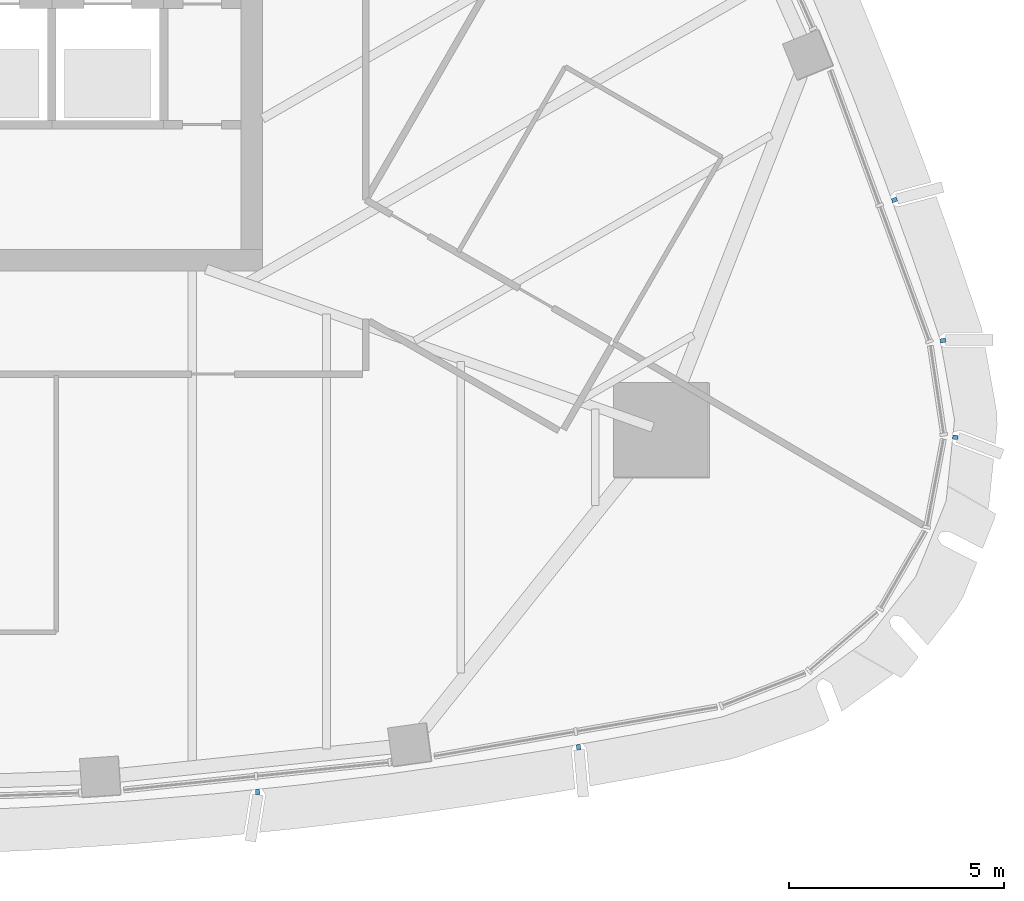
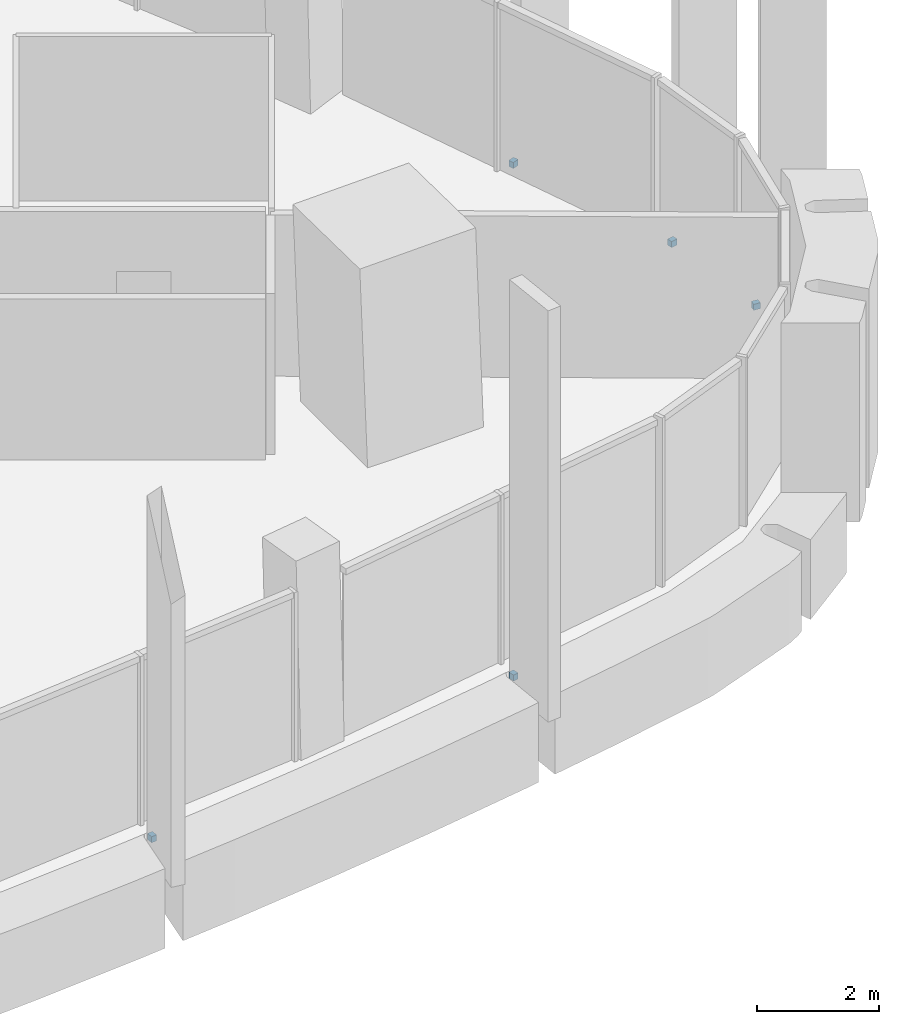
# One storey, part 13 of 16: 5 discrete accessories.
"""IFC4 building model written with IfcOpenShell, lengths in metres."""

import ifcopenshell
import ifcopenshell.guid

model = None  # the IFC model being written
_history = None  # IfcOwnerHistory: only IFC2X3 demands one
_inside = {}  # id of a spatial element -> (the spatial element, [elements in it])
_under = {}  # id of a project, library or spatial element -> (it, [spatial elements below it])
_declared = {}  # id of a project -> (the project, [libraries it declares])
_typed = {}  # id of a type object -> (the type object, [elements of that type])
_made_of = {}  # id of a material, layer set ... -> (it, [elements and type objects made of it])


def new_model(schema):
    """Start an empty IFC model of exactly this schema.

    Asked for "IFC4X3", IfcOpenShell would pick the latest addendum, in which some entities
    have other attributes; the version numbers below select the first issue.
    IFC2X3 requires an IfcOwnerHistory on every rooted entity: one is made here for all.
    """
    global model, _history
    if schema == "IFC4X3":
        model = ifcopenshell.file(schema_version=(4, 3, 0, 0))
    else:
        model = ifcopenshell.file(schema=schema)
    _inside.clear()
    _under.clear()
    _declared.clear()
    _typed.clear()
    _made_of.clear()
    _history = None
    if model.schema == "IFC2X3":
        org = make("IfcOrganization", Name="unknown")
        user = make(
            "IfcPersonAndOrganization",
            ThePerson=make("IfcPerson", FamilyName="unknown"),
            TheOrganization=org,
        )
        app = make(
            "IfcApplication",
            ApplicationDeveloper=org,
            Version="unknown",
            ApplicationFullName="unknown",
            ApplicationIdentifier="unknown",
        )
        _history = make(
            "IfcOwnerHistory",
            OwningUser=user,
            OwningApplication=app,
            ChangeAction="ADDED",
            CreationDate=0,
        )
    return model


def make(cls, **values):
    """One entity of the class cls with the attributes given. An attribute that is None is left unset."""
    return model.create_entity(
        cls, **{name: value for name, value in values.items() if value is not None}
    )


def rooted(cls, **values):
    """An entity with a GlobalId (a new one), such as an element, a storey or a relation."""
    return make(cls, GlobalId=ifcopenshell.guid.new(), OwnerHistory=_history, **values)


def si_unit(unit_type, name, prefix=None):
    """IfcSIUnit, for example si_unit("LENGTHUNIT", "METRE", prefix="MILLI")."""
    return make("IfcSIUnit", UnitType=unit_type, Prefix=prefix, Name=name)


def assignment(units):
    """IfcUnitAssignment: the units of a project."""
    return None if units is None else make("IfcUnitAssignment", Units=units)


def point(xyz):
    """IfcCartesianPoint."""
    return None if xyz is None else make("IfcCartesianPoint", Coordinates=xyz)


def direction(xyz):
    """IfcDirection."""
    return None if xyz is None else make("IfcDirection", DirectionRatios=xyz)


def frame(location, z_axis=None, x_axis=None):
    """IfcAxis2Placement3D, a coordinate frame: its origin and axes. An axis left out is left unset."""
    return make(
        "IfcAxis2Placement3D",
        Location=point(location),
        Axis=direction(z_axis),
        RefDirection=direction(x_axis),
    )


def frame_2d(location, x_axis=None):
    """IfcAxis2Placement2D, a coordinate frame in the plane: its origin and x axis."""
    return make(
        "IfcAxis2Placement2D", Location=point(location), RefDirection=direction(x_axis)
    )


def origin():
    """The frame at (0, 0, 0) with its axes left unset."""
    return frame((0.0, 0.0, 0.0))


def origin_2d():
    """The frame at (0, 0) in the plane with its x axis left unset."""
    return frame_2d((0.0, 0.0))


def place(relative_to, where):
    """IfcLocalPlacement: puts the frame where relative to a parent placement (None: the world)."""
    return make(
        "IfcLocalPlacement", PlacementRelTo=relative_to, RelativePlacement=where
    )


def context(
    kind, dimensions, precision=None, world=None, true_north=None, identifier=None
):
    """IfcGeometricRepresentationContext, for example the 3D "Model" context."""
    return make(
        "IfcGeometricRepresentationContext",
        ContextIdentifier=identifier,
        ContextType=kind,
        CoordinateSpaceDimension=dimensions,
        Precision=precision,
        WorldCoordinateSystem=world,
        TrueNorth=true_north,
    )


def subcontext(parent, identifier, kind, view, scale=None):
    """IfcGeometricRepresentationSubContext, for example "Body" below "Model"."""
    return make(
        "IfcGeometricRepresentationSubContext",
        ContextIdentifier=identifier,
        ContextType=kind,
        ParentContext=parent,
        TargetScale=scale,
        TargetView=view,
    )


def project(units=None, contexts=None):
    """IfcProject with its units and contexts."""
    return rooted(
        "IfcProject",
        Name="project",
        RepresentationContexts=contexts,
        UnitsInContext=assignment(units),
    )


def spatial(cls, under=None, at=None, **own):
    """A site, building, storey or space (cls), placed at a placement, below another one or the project."""
    s = rooted(cls, ObjectPlacement=at, **own)
    if under is not None:
        _under.setdefault(under.id(), (under, []))[1].append(s)
    return s


def profile(cls, at=None, kind="AREA", **sizes):
    """A parametric profile (cls). Its sizes go by their IFC names, for example OverallWidth=200.0."""
    return make(cls, ProfileType=kind, Position=at, **sizes)


def rectangle(**sizes):
    """IfcRectangleProfileDef."""
    return profile("IfcRectangleProfileDef", **sizes)


def extrude(swept, where, along, depth):
    """IfcExtrudedAreaSolid: the profile swept, set in the frame where, extruded along a direction by depth."""
    return make(
        "IfcExtrudedAreaSolid",
        SweptArea=swept,
        Position=where,
        ExtrudedDirection=direction(along),
        Depth=depth,
    )


def shape(context_of_items, identifier, shape_type, items):
    """IfcShapeRepresentation: the items that make up one representation, for example the "Body"."""
    return make(
        "IfcShapeRepresentation",
        ContextOfItems=context_of_items,
        RepresentationIdentifier=identifier,
        RepresentationType=shape_type,
        Items=items,
    )


def material(Name=None, Category=None):
    """IfcMaterial."""
    return make("IfcMaterial", Name=Name, Category=Category)


def made_of(thing, what):
    """Note that an element or type object is made of a material, layer set ...; save() writes the relation."""
    if what is not None:
        _made_of.setdefault(what.id(), (what, []))[1].append(thing)
    return thing


def type_object(cls, material=None, **own):
    """A type object (cls), such as IfcWallType, which elements share."""
    return made_of(rooted(cls, **own), material)


def element(
    cls,
    number,
    at=None,
    inside=None,
    cuts=None,
    type_object=None,
    material=None,
    context=None,
    identifier="Body",
    shape_type=None,
    held_by="IfcProductDefinitionShape",
    body=None,
    shapes=None,
    **own,
):
    """One element of the class cls, such as IfcWall. Its Tag is "e" and its number.

    at: its placement. inside: the storey or other place that contains it. cuts: it is an
    opening in that element (IfcRelVoidsElement). A single representation is given by context,
    identifier, shape_type and body (its items); several are given by shapes. held_by: the class
    of the entity that holds the representations. save() writes the other relations.
    """
    e = rooted(cls, Tag="e%d" % number, ObjectPlacement=at, **own)
    if body is not None:
        shapes = [shape(context, identifier, shape_type, body)]
    if shapes is not None:
        e.Representation = make(held_by, Representations=shapes)
    if inside is not None:
        _inside.setdefault(inside.id(), (inside, []))[1].append(e)
    if cuts is not None:
        rooted(
            "IfcRelVoidsElement", RelatingBuildingElement=cuts, RelatedOpeningElement=e
        )
    if type_object is not None:
        _typed.setdefault(type_object.id(), (type_object, []))[1].append(e)
    return made_of(e, material)


def aggregate(whole, parts):
    """IfcRelAggregates: a whole, such as a stair, and the parts it consists of."""
    return rooted("IfcRelAggregates", RelatingObject=whole, RelatedObjects=parts)


def save(model, path):
    """Write the relations noted so far, then the file.

    IfcRelAggregates (storeys below a building ...), IfcRelContainedInSpatialStructure (elements
    in a storey), IfcRelDefinesByType, IfcRelAssociatesMaterial and IfcRelDeclares: one each for
    every whole, place, type object, material and project.
    """
    for whole, parts in _under.values():
        aggregate(whole, parts)
    for where, things in _inside.values():
        rooted(
            "IfcRelContainedInSpatialStructure",
            RelatedElements=things,
            RelatingStructure=where,
        )
    for kind, things in _typed.values():
        rooted("IfcRelDefinesByType", RelatedObjects=things, RelatingType=kind)
    for what, things in _made_of.values():
        rooted("IfcRelAssociatesMaterial", RelatedObjects=things, RelatingMaterial=what)
    for by, libraries in _declared.values():
        rooted("IfcRelDeclares", RelatingContext=by, RelatedDefinitions=libraries)
    model.write(path)


model = new_model("IFC4")

# Units and contexts
model_context = context("Model", 3, precision=1e-05, world=origin(), true_north=direction((0.0, 1.0)))
body_context = subcontext(model_context, "Body", "Model", "MODEL_VIEW")
ifc_project = project(units=[si_unit("LENGTHUNIT", "METRE"), si_unit("AREAUNIT", "SQUARE_METRE"), si_unit("VOLUMEUNIT", "CUBIC_METRE"), si_unit("PLANEANGLEUNIT", "RADIAN"), si_unit("MASSUNIT", "GRAM", prefix="KILO")], contexts=[model_context])

# Site, building, storey
site_placement = place(None, origin())
site = spatial("IfcSite", under=ifc_project, at=site_placement, CompositionType="ELEMENT")
building_placement = place(site_placement, origin())
building = spatial("IfcBuilding", under=site, at=building_placement, Name="Sierra Prisma Convention Tower", CompositionType="ELEMENT")
storey_placement = place(building_placement, frame((0.0, 0.0, 303.0)))
storey = spatial("IfcBuildingStorey", under=building, at=storey_placement, Name="L69", CompositionType="ELEMENT", Elevation=303.0)

# Discrete accessories
ifc_material = material(Name="Stainless steel 316", Category="steel")
discrete_accessory_type = type_object("IfcDiscreteAccessoryType", Name="Fin bracket", PredefinedType="BRACKET", material=ifc_material)
for number, where, z_axis, x_axis, name in (
    (1, (10.88525390625, -20.113037109375, -0.135009765625), (0.0, 0.0, 1.0), (0.103246271836, -0.994655823565, 0.0), "Fin bracket L69.14 base"),
    (2, (18.344482421875, -19.0712890625, -0.135009765625), (0.0, 0.0, 1.0), (0.177704010422, -0.984083982534, 0.0), "Fin bracket L69.17 base"),
    (3, (27.10302734375, -11.868408203125, -0.135009765625), (0.0, 0.0, 1.0), (0.994655823565, -0.103246271836, 0.0), "Fin bracket L69.22 base"),
    (4, (26.816162109375, -9.619873046875, -0.135009765625), (0.0, 0.0, 1.0), (0.984432377569, 0.175763744824, 0.0), "Fin bracket L69.23 base"),
    (5, (25.6884765625, -6.351318359375, -0.135009765625), (0.0, 0.0, 1.0), (0.941093733543, 0.338145803887, 0.0), "Fin bracket L69.24 base"),
):
    element("IfcDiscreteAccessory", number, at=place(storey_placement, frame(where, z_axis=z_axis, x_axis=x_axis)), inside=storey, type_object=discrete_accessory_type, Name=name, PredefinedType="BRACKET", context=body_context, shape_type="SweptSolid", body=[
        extrude(rectangle(XDim=0.1201171875, YDim=0.10009765625, at=origin_2d()), origin(), (0.0, 0.0, 1.0), 0.1201171875),
    ])

save(model, "model.ifc")
